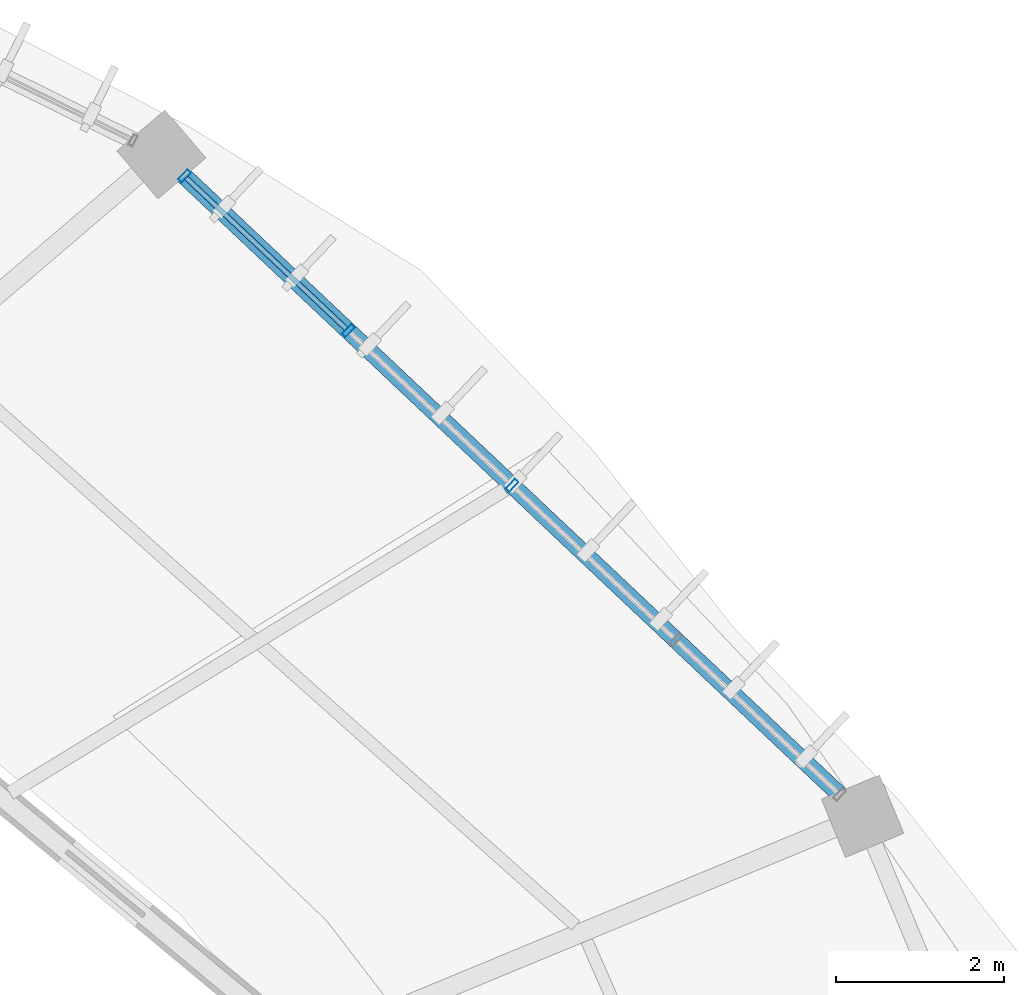
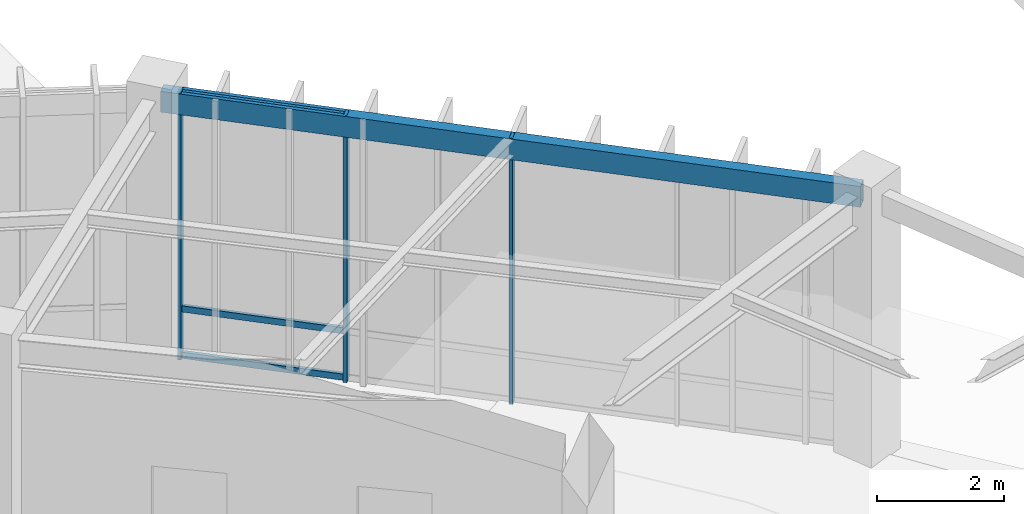
# One storey, part 108 of 157: 6 members, 1 beam, 1 element without a shape of its own.
"""IFC4 building model written with IfcOpenShell, lengths in metres."""

from ifc_helpers import new_model, si_unit, direction, frame, origin, origin_2d, place, context, subcontext, project, spatial, hollow_rectangle, extrude, material, material_profile, profile_set, type_object, element, aggregate, save


model = new_model("IFC4")

# Units and contexts
model_context = context("Model", 3, precision=1e-05, world=origin(), true_north=direction((0.0, 1.0)))
body_context = subcontext(model_context, "Body", "Model", "MODEL_VIEW")
ifc_project = project(units=[si_unit("LENGTHUNIT", "METRE"), si_unit("AREAUNIT", "SQUARE_METRE"), si_unit("VOLUMEUNIT", "CUBIC_METRE"), si_unit("PLANEANGLEUNIT", "RADIAN"), si_unit("MASSUNIT", "GRAM", prefix="KILO"), si_unit("THERMODYNAMICTEMPERATUREUNIT", "KELVIN"), si_unit("POWERUNIT", "WATT")], contexts=[model_context])

# Site, building, storey
site_placement = place(None, origin())
site = spatial("IfcSite", under=ifc_project, at=site_placement, CompositionType="ELEMENT")
building_placement = place(site_placement, origin())
building = spatial("IfcBuilding", under=site, at=building_placement, Name="Darbajah Civic Hall", CompositionType="ELEMENT")
storey_placement = place(building_placement, origin())
storey = spatial("IfcBuildingStorey", under=building, at=storey_placement, Name="L00", CompositionType="ELEMENT", Elevation=0.0)

# Curtain wall, members
ifc_material_1 = material(Name="Anodised Bronze Aluminium and Low-E Glazing", Category="aluminium")
curtain_wall_type = type_object("IfcCurtainWallType", Name="Unitised Curtain Wall CW-01 10700x5100", PredefinedType="USERDEFINED", material=ifc_material_1)
curtain_wall_placement = place(storey_placement, origin())
curtain_wall = element("IfcCurtainWall", 1, at=curtain_wall_placement, inside=storey, type_object=curtain_wall_type, Name="L00 unitised curtain wall CW-V1O-L00-01", ObjectType="UNITISED CURTAIN WALL", PredefinedType="USERDEFINED")
ifc_material_2 = material(Name="Anodised Bronze Aluminium", Category="aluminium")
ifc_material_profile_1 = material_profile(ifc_material_2, hollow_rectangle(XDim=0.06005859375, YDim=0.159912109375, WallThickness=0.00341796875, at=origin_2d()), Name="ALU MULLION 60x160")
ifc_profile_set_1 = profile_set([ifc_material_profile_1], Name="Anodised Bronze Aluminium")
member_type_1 = type_object("IfcMemberType", Name="ALU MULLION 60x160", PredefinedType="MULLION", material=ifc_profile_set_1)
member_1_placement = place(storey_placement, frame((132.04931640625, 105.02392578125, 0.0), z_axis=(0.0, 0.0, 1.0), x_axis=(-0.727173991201, 0.686453193248, 0.0)))
member_1 = element("IfcMember", 2, at=member_1_placement, type_object=member_type_1, Name="CW-V1O-L00-01 mullion 3", PredefinedType="MULLION", context=body_context, shape_type="SweptSolid", body=[
    extrude(hollow_rectangle(XDim=0.06005859375, YDim=0.159912109375, WallThickness=0.00341796875, at=origin_2d()), origin(), (0.0, 0.0, 1.0), 5.1201171875),
])
member_2_placement = place(storey_placement, frame((130.10205078125, 106.86181640625, 0.0), z_axis=(0.0, 0.0, 1.0), x_axis=(-0.727173991201, 0.686453193248, 0.0)))
member_2 = element("IfcMember", 3, at=member_2_placement, type_object=member_type_1, Name="CW-V1O-L00-01 mullion 4", PredefinedType="MULLION", context=body_context, shape_type="SweptSolid", body=[
    extrude(hollow_rectangle(XDim=0.06005859375, YDim=0.159912109375, WallThickness=0.00341796875, at=origin_2d()), origin(), (0.0, 0.0, 1.0), 5.1201171875),
])
member_3_placement = place(storey_placement, frame((128.15478515625, 108.699951171875, 0.0), z_axis=(0.0, 0.0, 1.0), x_axis=(-0.727173991201, 0.686453193248, 0.0)))
member_3 = element("IfcMember", 4, at=member_3_placement, type_object=member_type_1, Name="CW-V1O-L00-01 mullion 5", PredefinedType="MULLION", context=body_context, shape_type="SweptSolid", body=[
    extrude(hollow_rectangle(XDim=0.06005859375, YDim=0.159912109375, WallThickness=0.00341796875, at=origin_2d()), origin(), (0.0, 0.0, 1.0), 5.1201171875),
])
ifc_material_profile_2 = material_profile(ifc_material_2, hollow_rectangle(XDim=0.06005859375, YDim=0.1201171875, WallThickness=0.003173828125, at=origin_2d()), Name="ALU TRANSOM 60x120")
ifc_profile_set_2 = profile_set([ifc_material_profile_2], Name="Anodised Bronze Aluminium")
member_type_2 = type_object("IfcMemberType", Name="ALU TRANSOM 60x120", PredefinedType="USERDEFINED", material=ifc_profile_set_2)
member_4_placement = place(storey_placement, frame((130.07666015625, 106.885986328125, 0.06005859375), z_axis=(-0.727223442054, 0.686400805162, 0.0), x_axis=(-0.686400805162, -0.727223442054, 0.0)))
member_4 = element("IfcMember", 5, at=member_4_placement, type_object=member_type_2, Name="CW-V1O-L00-01 transom 4.1", ObjectType="TRANSOM", PredefinedType="USERDEFINED", context=body_context, shape_type="SweptSolid", body=[
    extrude(hollow_rectangle(XDim=0.06005859375, YDim=0.1201171875, WallThickness=0.003173828125, at=origin_2d()), origin(), (0.0, 0.0, 1.0), 2.607421875),
])
member_5_placement = place(storey_placement, frame((130.07666015625, 106.885986328125, 0.949951171875), z_axis=(-0.727223442054, 0.686400805162, 0.0), x_axis=(-0.686400805162, -0.727223442054, 0.0)))
member_5 = element("IfcMember", 6, at=member_5_placement, type_object=member_type_2, Name="CW-V1O-L00-01 transom 4.2", ObjectType="TRANSOM", PredefinedType="USERDEFINED", context=body_context, shape_type="SweptSolid", body=[
    extrude(hollow_rectangle(XDim=0.06005859375, YDim=0.1201171875, WallThickness=0.003173828125, at=origin_2d()), origin(), (0.0, 0.0, 1.0), 2.607421875),
])
member_6_placement = place(storey_placement, frame((130.07666015625, 106.885986328125, 5.06005859375), z_axis=(-0.727223442054, 0.686400805162, 0.0), x_axis=(-0.686400805162, -0.727223442054, 0.0)))
member_6 = element("IfcMember", 7, at=member_6_placement, type_object=member_type_2, Name="CW-V1O-L00-01 transom 4.3", ObjectType="TRANSOM", PredefinedType="USERDEFINED", context=body_context, shape_type="SweptSolid", body=[
    extrude(hollow_rectangle(XDim=0.06005859375, YDim=0.1201171875, WallThickness=0.003173828125, at=origin_2d()), origin(), (0.0, 0.0, 1.0), 2.607421875),
])
aggregate(curtain_wall, [member_1, member_2, member_3, member_4, member_5, member_6])

# Beam
ifc_material_3 = material(Name="Steel S355JR", Category="steel")
ifc_material_profile_3 = material_profile(ifc_material_3, hollow_rectangle(XDim=0.199951171875, YDim=0.39990234375, WallThickness=0.013916015625, at=origin_2d()), Name="RHS 400x200x14")
ifc_profile_set_3 = profile_set([ifc_material_profile_3], Name="Steel S355JR")
beam_type = type_object("IfcBeamType", Name="RHS 400x200x14", PredefinedType="SPANDREL", material=ifc_profile_set_3)
beam_placement = place(storey_placement, frame((136.15966796875, 101.14404296875, 4.919921875), z_axis=(-0.727199990638, 0.686425650465, 0.0), x_axis=(-0.686425650465, -0.727199990638, 0.0)))
element("IfcBeam", 8, at=beam_placement, inside=storey, type_object=beam_type, Name="L00 beam SP-RHS400", PredefinedType="SPANDREL", context=body_context, shape_type="SweptSolid", body=[
    extrude(hollow_rectangle(XDim=0.199951171875, YDim=0.39990234375, WallThickness=0.013916015625, at=origin_2d()), origin(), (0.0, 0.0, 1.0), 11.3046875),
])

save(model, "model.ifc")
